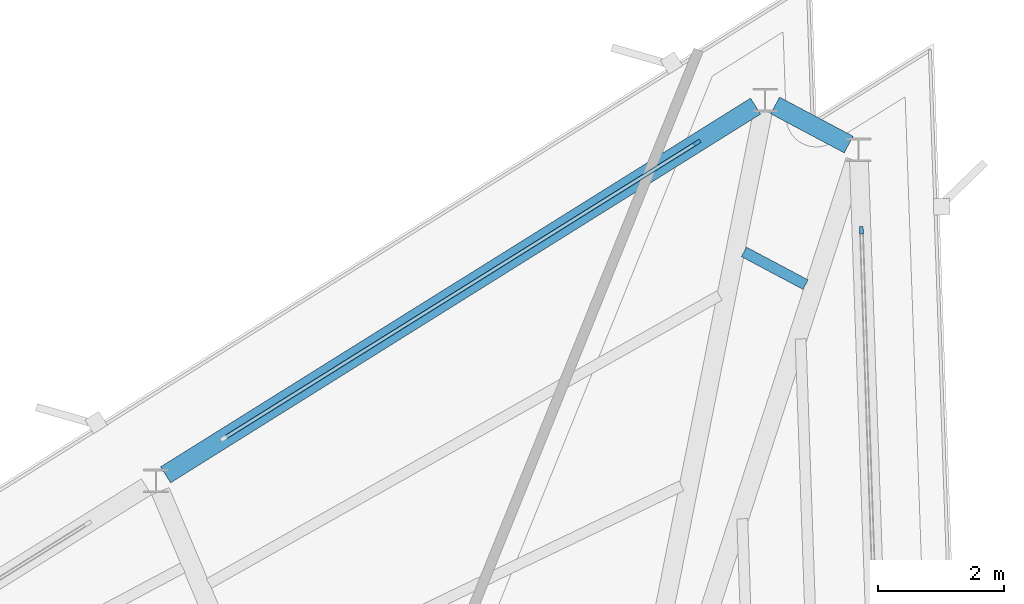
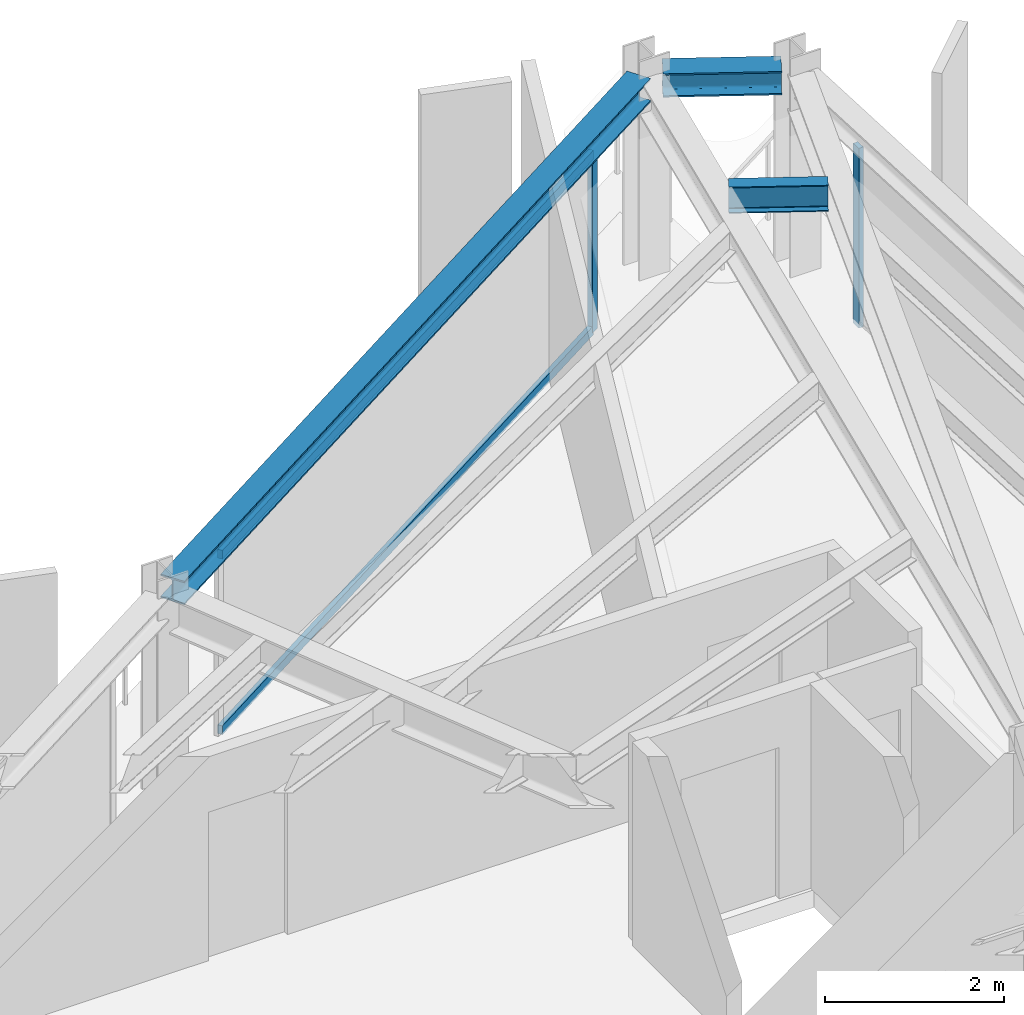
# One storey, part 7 of 12: 4 members, 3 beams, 2 elements without a shape of their own.
"""IFC4 building model written with IfcOpenShell, lengths in metres."""

from ifc_helpers import new_model, si_unit, direction, frame, origin, origin_2d, place, context, subcontext, project, spatial, rectangle, i_section, extrude, material, layer, layer_set, material_profile, profile_set, type_object, element, aggregate, save


model = new_model("IFC4")

# Units and contexts
model_context = context("Model", 3, precision=1e-05, world=origin(), true_north=direction((0.0, 1.0)))
body_context = subcontext(model_context, "Body", "Model", "MODEL_VIEW")
ifc_project = project(units=[si_unit("LENGTHUNIT", "METRE"), si_unit("AREAUNIT", "SQUARE_METRE"), si_unit("VOLUMEUNIT", "CUBIC_METRE"), si_unit("PLANEANGLEUNIT", "RADIAN"), si_unit("MASSUNIT", "GRAM", prefix="KILO")], contexts=[model_context])

# Site, building, storey
site_placement = place(None, origin())
site = spatial("IfcSite", under=ifc_project, at=site_placement, CompositionType="ELEMENT")
building_placement = place(site_placement, origin())
building = spatial("IfcBuilding", under=site, at=building_placement, Name="Rocaltana Carrier Exchange", CompositionType="ELEMENT")
storey_placement = place(building_placement, frame((0.0, 0.0, 205.760009765625)))
storey = spatial("IfcBuildingStorey", under=building, at=storey_placement, Name="L65", CompositionType="ELEMENT", Elevation=205.760009765625)

# Curtain wall, member
ifc_material_1 = material(Name="Aluminium 6063-T6", Category="aluminium")
ifc_layer = layer(ifc_material_1, 0.1201171875)
ifc_layer_set = layer_set([ifc_layer], Name="Aluminium 6063-T6")
curtain_wall_type = type_object("IfcCurtainWallType", Name="High-Altitude Thermal Curtain Wall CW-05", PredefinedType="NOTDEFINED", material=ifc_layer_set)
curtain_wall_1_placement = place(storey_placement, origin())
curtain_wall_1 = element("IfcCurtainWall", 1, at=curtain_wall_1_placement, inside=storey, type_object=curtain_wall_type, Name="L65 CW-05 Run CW-L65-F1S3", PredefinedType="NOTDEFINED")
ifc_material_2 = material(Name="Aluminium 6063-T6", Category="aluminium")
ifc_material_profile_1 = material_profile(ifc_material_2, rectangle(XDim=0.06005859375, YDim=0.1201171875, at=origin_2d()), Name="AL-60X120")
ifc_profile_set_1 = profile_set([ifc_material_profile_1], Name="Aluminium 6063-T6")
member_type_1 = type_object("IfcMemberType", Name="CW-05 Mullion AL-60X120", PredefinedType="MULLION", material=ifc_profile_set_1)
member_1_placement = place(storey_placement, frame((10.31396484375, 16.239990234375, 0.0), z_axis=(0.0, 0.0, 1.0), x_axis=(-0.999390720156, -0.034902556738, 0.0)))
member_1 = element("IfcMember", 2, at=member_1_placement, type_object=member_type_1, Name="CW-05 mullion 2", PredefinedType="MULLION", context=body_context, shape_type="SweptSolid", body=[
    extrude(rectangle(XDim=0.06005859375, YDim=0.1201171875, at=origin_2d()), origin(), (0.0, 0.0, 1.0), 2.447998046875),
])
aggregate(curtain_wall_1, [member_1])

# Curtain wall, members
curtain_wall_2_placement = place(storey_placement, origin())
curtain_wall_2 = element("IfcCurtainWall", 3, at=curtain_wall_2_placement, inside=storey, type_object=curtain_wall_type, Name="L65 CW-05 Run CW-L65-F2S1", PredefinedType="NOTDEFINED")
member_2_placement = place(storey_placement, frame((7.696044921875, 17.6318359375, 0.0), z_axis=(0.0, 0.0, 1.0), x_axis=(0.529928503412, -0.848042322807, 0.0)))
member_2 = element("IfcMember", 4, at=member_2_placement, type_object=member_type_1, Name="CW-05 mullion 1", PredefinedType="MULLION", context=body_context, shape_type="SweptSolid", body=[
    extrude(rectangle(XDim=0.06005859375, YDim=0.1201171875, at=origin_2d()), origin(), (0.0, 0.0, 1.0), 2.447998046875),
])
ifc_material_3 = material(Name="Aluminium 6063-T6", Category="aluminium")
ifc_material_profile_2 = material_profile(ifc_material_3, rectangle(XDim=0.06005859375, YDim=0.1201171875, at=origin_2d()), Name="AL-60X120")
ifc_profile_set_2 = profile_set([ifc_material_profile_2], Name="Aluminium 6063-T6")
member_type_2 = type_object("IfcMemberType", Name="CW-05 Transom AL-60X120", PredefinedType="USERDEFINED", material=ifc_profile_set_2)
member_3_placement = place(storey_placement, frame((7.67041015625, 17.615966796875, 0.030029296875), z_axis=(-0.848037208835, -0.529936687192, 0.0), x_axis=(0.529936687192, -0.848037208835, 0.0)))
member_3 = element("IfcMember", 5, at=member_3_placement, type_object=member_type_2, Name="CW-05 transom 1.1", ObjectType="TRANSOM", PredefinedType="USERDEFINED", context=body_context, shape_type="SweptSolid", body=[
    extrude(rectangle(XDim=0.06005859375, YDim=0.1201171875, at=origin_2d()), origin(), (0.0, 0.0, 1.0), 8.813232421875),
])
member_4_placement = place(storey_placement, frame((7.67041015625, 17.615966796875, 2.41796875), z_axis=(-0.848037208835, -0.529936687192, 0.0), x_axis=(0.529936687192, -0.848037208835, 0.0)))
member_4 = element("IfcMember", 6, at=member_4_placement, type_object=member_type_2, Name="CW-05 transom 1.2", ObjectType="TRANSOM", PredefinedType="USERDEFINED", context=body_context, shape_type="SweptSolid", body=[
    extrude(rectangle(XDim=0.06005859375, YDim=0.1201171875, at=origin_2d()), origin(), (0.0, 0.0, 1.0), 8.813232421875),
])
aggregate(curtain_wall_2, [member_2, member_3, member_4])

# Beams
ifc_material_4 = material(Name="Steel S355", Category="steel")
ifc_material_profile_3 = material_profile(ifc_material_4, i_section(OverallWidth=0.172119140625, OverallDepth=0.35791015625, WebThickness=0.0078125, FlangeThickness=0.01318359375, FilletRadius=0.011962890625, at=origin_2d()), Name="W14X38")
ifc_profile_set_3 = profile_set([ifc_material_profile_3], Name="Steel S355")
beam_type_1 = type_object("IfcBeamType", Name="Floor Joist W14X38", PredefinedType="JOIST", material=ifc_profile_set_3)
beam_1_placement = place(storey_placement, frame((9.4248046875, 15.37353515625, 2.618896484375), z_axis=(-0.882979040658, 0.469412413298, 0.0), x_axis=(-0.469412413298, -0.882979040658, 0.0)))
element("IfcBeam", 7, at=beam_1_placement, inside=storey, type_object=beam_type_1, Name="FJ-L65-04-3", PredefinedType="JOIST", context=body_context, shape_type="SweptSolid", body=[
    extrude(i_section(OverallWidth=0.172119140625, OverallDepth=0.35791015625, WebThickness=0.0078125, FlangeThickness=0.01318359375, FilletRadius=0.011962890625, at=origin_2d()), origin(), (0.0, 0.0, 1.0), 1.1103515625),
])
ifc_material_5 = material(Name="Steel S355", Category="steel")
ifc_material_profile_4 = material_profile(ifc_material_5, i_section(OverallWidth=0.300048828125, OverallDepth=0.320068359375, WebThickness=0.011474609375, FlangeThickness=0.0205078125, FilletRadius=0.027099609375, at=origin_2d()), Name="HEB320")
ifc_profile_set_4 = profile_set([ifc_material_profile_4], Name="Steel S355")
beam_type_2 = type_object("IfcBeamType", Name="Spandrel Edge Beam HEB320", PredefinedType="SPANDREL", material=ifc_profile_set_4)
beam_2_placement = place(storey_placement, frame((10.110595703125, 17.603515625, 2.637939453125), z_axis=(-0.882989322393, 0.46939307253, 0.0), x_axis=(-0.46939307253, -0.882989322393, 0.0)))
element("IfcBeam", 8, at=beam_2_placement, inside=storey, type_object=beam_type_2, Name="SP-L65-04", PredefinedType="SPANDREL", context=body_context, shape_type="SweptSolid", body=[
    extrude(i_section(OverallWidth=0.300048828125, OverallDepth=0.320068359375, WebThickness=0.011474609375, FlangeThickness=0.0205078125, FilletRadius=0.027099609375, at=origin_2d()), origin(), (0.0, 0.0, 1.0), 1.32568359375),
])
beam_3_placement = place(storey_placement, frame((8.62939453125, 18.215087890625, 2.637939453125), z_axis=(-0.84804288723, -0.529927600167, 0.0), x_axis=(0.529927600167, -0.84804288723, 0.0)))
element("IfcBeam", 9, at=beam_3_placement, inside=storey, type_object=beam_type_2, Name="SP-L65-05", PredefinedType="SPANDREL", context=body_context, shape_type="SweptSolid", body=[
    extrude(i_section(OverallWidth=0.300048828125, OverallDepth=0.320068359375, WebThickness=0.011474609375, FlangeThickness=0.0205078125, FilletRadius=0.027099609375, at=origin_2d()), origin(), (0.0, 0.0, 1.0), 11.074462890625),
])

save(model, "model.ifc")
